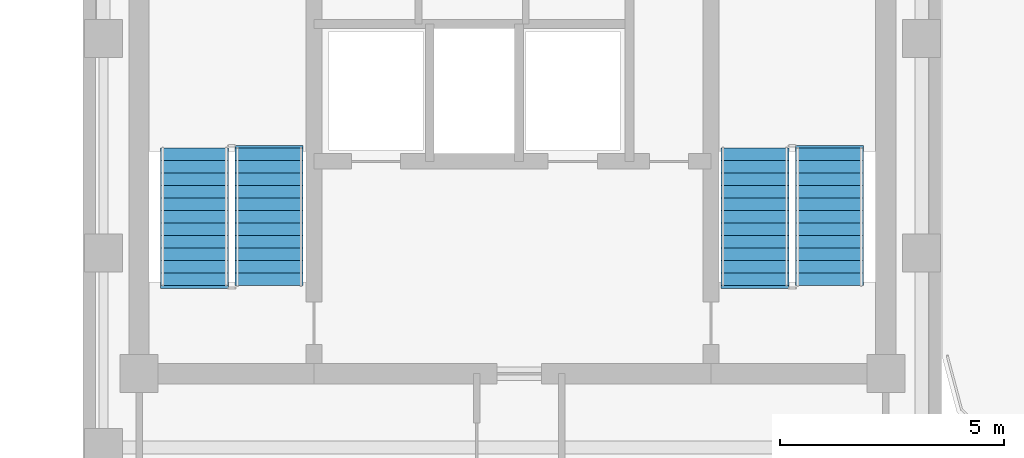
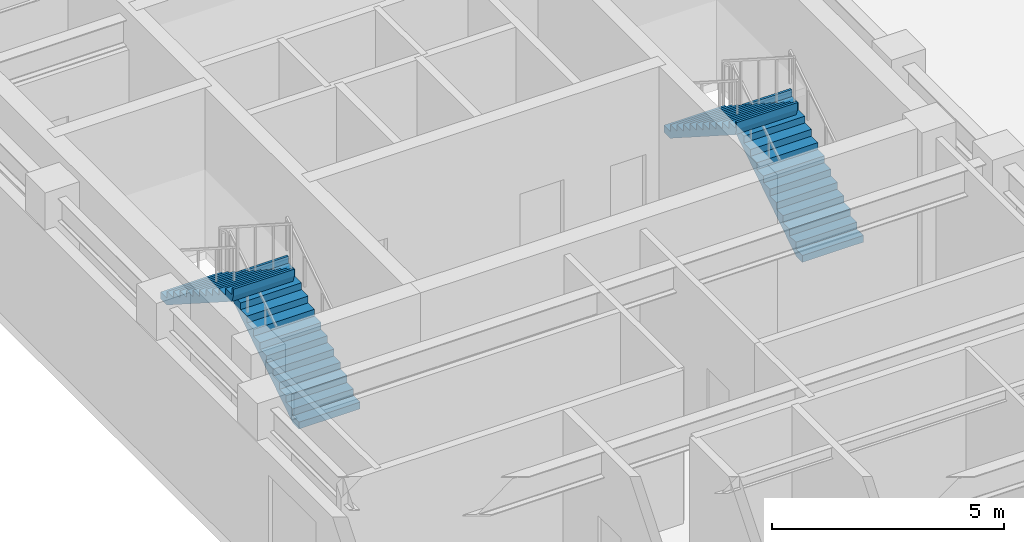
# One storey, part 5 of 7: 4 stair flights, 2 elements without a shape of their own.
"""IFC4 building model written with IfcOpenShell, lengths in metres."""

from ifc_helpers import new_model, si_unit, direction, frame, origin, place, context, subcontext, project, spatial, polyline, outline, extrude, material, type_object, element, aggregate, save


model = new_model("IFC4")

# Units and contexts
model_context = context("Model", 3, precision=1e-05, world=origin(), true_north=direction((0.0, 1.0)))
body_context = subcontext(model_context, "Body", "Model", "MODEL_VIEW")
ifc_project = project(units=[si_unit("LENGTHUNIT", "METRE"), si_unit("AREAUNIT", "SQUARE_METRE"), si_unit("VOLUMEUNIT", "CUBIC_METRE"), si_unit("PLANEANGLEUNIT", "RADIAN"), si_unit("MASSUNIT", "GRAM", prefix="KILO")], contexts=[model_context])

# Site, building, storey
site_placement = place(None, origin())
site = spatial("IfcSite", under=ifc_project, at=site_placement, CompositionType="ELEMENT")
building_placement = place(site_placement, origin())
building = spatial("IfcBuilding", under=site, at=building_placement, Name="Orvandelia Arch Residences", CompositionType="ELEMENT")
storey_placement = place(building_placement, frame((0.0, 0.0, 239.800048828125)))
storey = spatial("IfcBuildingStorey", under=building, at=storey_placement, Name="L63", CompositionType="ELEMENT", Elevation=239.800048828125)

# Stair, stair flights
ifc_material = material(Name="Concrete C40/50", Category="concrete")
stair_type = type_object("IfcStairType", Name="STAIR-RC-DOGLEG", PredefinedType="HALF_TURN_STAIR", material=ifc_material)
stair_1_placement = place(storey_placement, origin())
stair_1 = element("IfcStair", 1, at=stair_1_placement, inside=storey, type_object=stair_type, Name="L63 Protected Exit Stair ST-1", PredefinedType="HALF_TURN_STAIR")
stair_flight_type = type_object("IfcStairFlightType", Name="STFLT-RC-1520", PredefinedType="STRAIGHT", material=ifc_material)
stair_flight_1_placement = place(storey_placement, frame((8.9599609375, 32.8701171875, 0.0), z_axis=(0.0, 0.0, 1.0), x_axis=(0.0, 1.0, 0.0)))
stair_flight_1 = element("IfcStairFlight", 2, at=stair_flight_1_placement, type_object=stair_flight_type, Name="ST-1 flight 1", NumberOfRisers=12, NumberOfTreads=11, PredefinedType="STRAIGHT", RiserHeight=0.179166667, TreadLength=0.28, context=body_context, shape_type="SweptSolid", body=[
    extrude(outline(polyline([(0.0, 0.0), (0.0, 0.17919921875), (0.280029296875, 0.17919921875), (0.280029296875, 0.3583984375), (0.56005859375, 0.3583984375), (0.56005859375, 0.53759765625), (0.840087890625, 0.53759765625), (0.840087890625, 0.716552734375), (1.1201171875, 0.716552734375), (1.1201171875, 0.895751953125), (1.39990234375, 0.895751953125), (1.39990234375, 1.074951171875), (1.679931640625, 1.074951171875), (1.679931640625, 1.254150390625), (1.9599609375, 1.254150390625), (1.9599609375, 1.433349609375), (2.239990234375, 1.433349609375), (2.239990234375, 1.612548828125), (2.52001953125, 1.612548828125), (2.52001953125, 1.791748046875), (2.800048828125, 1.791748046875), (2.800048828125, 1.970947265625), (3.080078125, 1.970947265625), (3.080078125, 2.14990234375), (3.139892578125, 2.14990234375), (3.139892578125, 1.969970703125), (3.080078125, 1.79296875), (0.278076171875, 0.0), (0.0, 0.0)])), frame((0.0, 0.760009765625, 0.0), z_axis=(0.0, -1.0, 0.0), x_axis=(1.0, 0.0, 0.0)), (0.0, 0.0, 1.0), 1.52001953125),
])
stair_flight_2_placement = place(storey_placement, frame((7.2900390625, 35.949951171875, 2.14990234375), z_axis=(0.0, 0.0, 1.0), x_axis=(0.0, -1.0, 0.0)))
stair_flight_2 = element("IfcStairFlight", 3, at=stair_flight_2_placement, type_object=stair_flight_type, Name="ST-1 flight 2", NumberOfRisers=12, NumberOfTreads=11, PredefinedType="STRAIGHT", RiserHeight=0.179166667, TreadLength=0.28, context=body_context, shape_type="SweptSolid", body=[
    extrude(outline(polyline([(0.0, 0.0), (0.0, 0.17919921875), (0.280029296875, 0.17919921875), (0.280029296875, 0.3583984375), (0.56005859375, 0.3583984375), (0.56005859375, 0.53759765625), (0.840087890625, 0.53759765625), (0.840087890625, 0.716552734375), (1.1201171875, 0.716552734375), (1.1201171875, 0.895751953125), (1.39990234375, 0.895751953125), (1.39990234375, 1.074951171875), (1.679931640625, 1.074951171875), (1.679931640625, 1.254150390625), (1.9599609375, 1.254150390625), (1.9599609375, 1.433349609375), (2.239990234375, 1.433349609375), (2.239990234375, 1.612548828125), (2.52001953125, 1.612548828125), (2.52001953125, 1.791748046875), (2.800048828125, 1.791748046875), (2.800048828125, 1.970947265625), (3.080078125, 1.970947265625), (3.080078125, 2.14990234375), (3.139892578125, 2.14990234375), (3.139892578125, 1.969970703125), (3.080078125, 1.79296875), (0.278076171875, 0.0), (0.0, 0.0)])), frame((0.0, 0.760009765625, 0.0), z_axis=(0.0, -1.0, 0.0), x_axis=(1.0, 0.0, 0.0)), (0.0, 0.0, 1.0), 1.52001953125),
])
aggregate(stair_1, [stair_flight_1, stair_flight_2])

stair_2_placement = place(storey_placement, origin())
stair_2 = element("IfcStair", 4, at=stair_2_placement, inside=storey, type_object=stair_type, Name="L63 Protected Exit Stair ST-2", PredefinedType="HALF_TURN_STAIR")
stair_flight_3_placement = place(storey_placement, frame((21.489990234375, 32.8701171875, 0.0), z_axis=(0.0, 0.0, 1.0), x_axis=(0.0, 1.0, 0.0)))
stair_flight_3 = element("IfcStairFlight", 5, at=stair_flight_3_placement, type_object=stair_flight_type, Name="ST-2 flight 1", NumberOfRisers=12, NumberOfTreads=11, PredefinedType="STRAIGHT", RiserHeight=0.179166667, TreadLength=0.28, context=body_context, shape_type="SweptSolid", body=[
    extrude(outline(polyline([(0.0, 0.0), (0.0, 0.17919921875), (0.280029296875, 0.17919921875), (0.280029296875, 0.3583984375), (0.56005859375, 0.3583984375), (0.56005859375, 0.53759765625), (0.840087890625, 0.53759765625), (0.840087890625, 0.716552734375), (1.1201171875, 0.716552734375), (1.1201171875, 0.895751953125), (1.39990234375, 0.895751953125), (1.39990234375, 1.074951171875), (1.679931640625, 1.074951171875), (1.679931640625, 1.254150390625), (1.9599609375, 1.254150390625), (1.9599609375, 1.433349609375), (2.239990234375, 1.433349609375), (2.239990234375, 1.612548828125), (2.52001953125, 1.612548828125), (2.52001953125, 1.791748046875), (2.800048828125, 1.791748046875), (2.800048828125, 1.970947265625), (3.080078125, 1.970947265625), (3.080078125, 2.14990234375), (3.139892578125, 2.14990234375), (3.139892578125, 1.969970703125), (3.080078125, 1.79296875), (0.278076171875, 0.0), (0.0, 0.0)])), frame((0.0, 0.760009765625, 0.0), z_axis=(0.0, -1.0, 0.0), x_axis=(1.0, 0.0, 0.0)), (0.0, 0.0, 1.0), 1.52001953125),
])
stair_flight_4_placement = place(storey_placement, frame((19.820068359375, 35.949951171875, 2.14990234375), z_axis=(0.0, 0.0, 1.0), x_axis=(0.0, -1.0, 0.0)))
stair_flight_4 = element("IfcStairFlight", 6, at=stair_flight_4_placement, type_object=stair_flight_type, Name="ST-2 flight 2", NumberOfRisers=12, NumberOfTreads=11, PredefinedType="STRAIGHT", RiserHeight=0.179166667, TreadLength=0.28, context=body_context, shape_type="SweptSolid", body=[
    extrude(outline(polyline([(0.0, 0.0), (0.0, 0.17919921875), (0.280029296875, 0.17919921875), (0.280029296875, 0.3583984375), (0.56005859375, 0.3583984375), (0.56005859375, 0.53759765625), (0.840087890625, 0.53759765625), (0.840087890625, 0.716552734375), (1.1201171875, 0.716552734375), (1.1201171875, 0.895751953125), (1.39990234375, 0.895751953125), (1.39990234375, 1.074951171875), (1.679931640625, 1.074951171875), (1.679931640625, 1.254150390625), (1.9599609375, 1.254150390625), (1.9599609375, 1.433349609375), (2.239990234375, 1.433349609375), (2.239990234375, 1.612548828125), (2.52001953125, 1.612548828125), (2.52001953125, 1.791748046875), (2.800048828125, 1.791748046875), (2.800048828125, 1.970947265625), (3.080078125, 1.970947265625), (3.080078125, 2.14990234375), (3.139892578125, 2.14990234375), (3.139892578125, 1.969970703125), (3.080078125, 1.79296875), (0.278076171875, 0.0), (0.0, 0.0)])), frame((0.0, 0.760009765625, 0.0), z_axis=(0.0, -1.0, 0.0), x_axis=(1.0, 0.0, 0.0)), (0.0, 0.0, 1.0), 1.52001953125),
])
aggregate(stair_2, [stair_flight_3, stair_flight_4])

save(model, "model.ifc")
